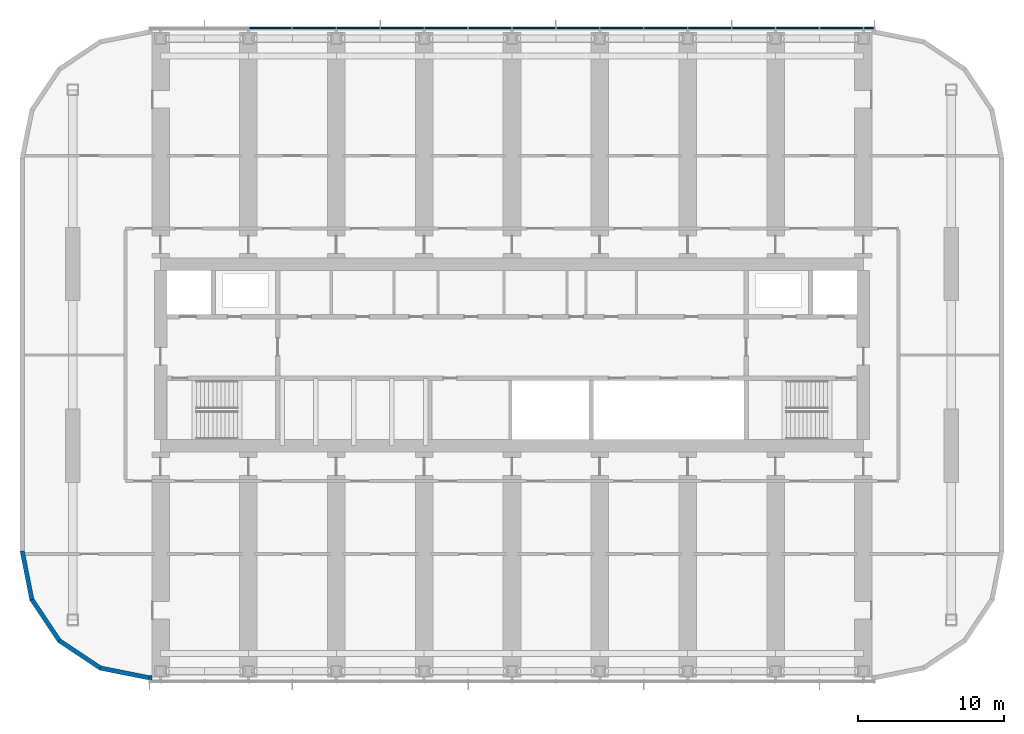
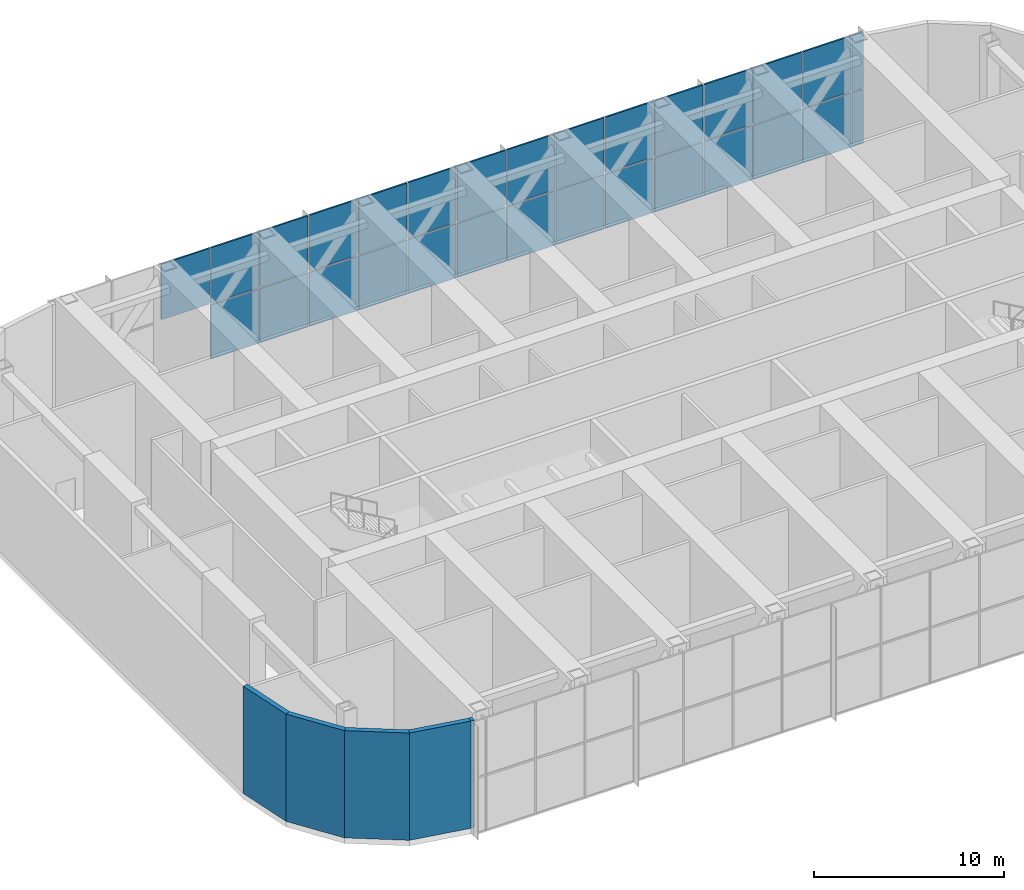
# One storey, part 7 of 22: 29 plates, 5 walls, 1 element without a shape of its own.
"""IFC4 building model written with IfcOpenShell, lengths in metres."""

from ifc_helpers import new_model, si_unit, direction, frame, frame_2d, origin, origin_2d, place, context, subcontext, project, spatial, polyline, rectangle, outline, extrude, material, layer, layer_set, type_object, element, aggregate, save


model = new_model("IFC4")

# Units and contexts
model_context = context("Model", 3, precision=1e-05, world=origin(), true_north=direction((0.0, 1.0)))
body_context = subcontext(model_context, "Body", "Model", "MODEL_VIEW")
ifc_project = project(units=[si_unit("LENGTHUNIT", "METRE"), si_unit("AREAUNIT", "SQUARE_METRE"), si_unit("VOLUMEUNIT", "CUBIC_METRE"), si_unit("PLANEANGLEUNIT", "RADIAN"), si_unit("MASSUNIT", "GRAM", prefix="KILO")], contexts=[model_context])

# Site, building, storey
site_placement = place(None, origin())
site = spatial("IfcSite", under=ifc_project, at=site_placement, CompositionType="ELEMENT")
building_placement = place(site_placement, origin())
building = spatial("IfcBuilding", under=site, at=building_placement, Name="Orbita Commons", CompositionType="ELEMENT")
storey_placement = place(building_placement, frame((0.0, 0.0, 201.10009765625)))
storey = spatial("IfcBuildingStorey", under=building, at=storey_placement, Name="L50", CompositionType="ELEMENT", Elevation=201.10009765625)

# Curtain wall, plates
ifc_material_1 = material(Name="Anodised aluminium frame, pale silver", Category="aluminium")
curtain_wall_type = type_object("IfcCurtainWallType", Name="Louvred curtain wall CW-V", PredefinedType="NOTDEFINED", material=ifc_material_1)
curtain_wall_placement = place(storey_placement, origin())
curtain_wall = element("IfcCurtainWall", 1, at=curtain_wall_placement, inside=storey, type_object=curtain_wall_type, Name="Curtain wall north L50", PredefinedType="NOTDEFINED")
ifc_material_2 = material(Name="Anodised aluminium louvre", Category="aluminium")
ifc_layer_1 = layer(ifc_material_2, 0.10009765625)
ifc_layer_set_1 = layer_set([ifc_layer_1], Name="Anodised aluminium louvre")
plate_type = type_object("IfcPlateType", Name="Aluminium louvre panel 100", PredefinedType="CURTAIN_PANEL", material=ifc_layer_set_1)
plate_1_placement = place(storey_placement, frame((66.3798828125, 54.31005859375, -0.250244140625), z_axis=(0.0, 0.0, 1.0), x_axis=(-1.0, 0.0, 0.0)))
plate_1 = element("IfcPlate", 2, at=plate_1_placement, type_object=plate_type, Name="Panel 1.1 CW-L50-N", PredefinedType="CURTAIN_PANEL", context=body_context, shape_type="SweptSolid", body=[
    extrude(rectangle(XDim=0.679931640625, YDim=0.10009765625, at=origin_2d()), origin(), (0.0, 0.0, 1.0), 3.47509765625),
])
plate_2_placement = place(storey_placement, frame((66.3798828125, 54.31005859375, 3.32470703125), z_axis=(0.0, 0.0, 1.0), x_axis=(-1.0, 0.0, 0.0)))
plate_2 = element("IfcPlate", 3, at=plate_2_placement, type_object=plate_type, Name="Panel 1.2 CW-L50-N", PredefinedType="CURTAIN_PANEL", context=body_context, shape_type="SweptSolid", body=[
    extrude(rectangle(XDim=0.679931640625, YDim=0.10009765625, at=origin_2d()), origin(), (0.0, 0.0, 1.0), 3.574951171875),
])
plate_3_placement = place(storey_placement, frame((64.5, 54.31005859375, -0.250244140625), z_axis=(0.0, 0.0, 1.0), x_axis=(-1.0, 0.0, 0.0)))
plate_3 = element("IfcPlate", 4, at=plate_3_placement, type_object=plate_type, Name="Panel 2.1 CW-L50-N", PredefinedType="CURTAIN_PANEL", context=body_context, shape_type="SweptSolid", body=[
    extrude(rectangle(XDim=2.919921875, YDim=0.10009765625, at=origin_2d()), origin(), (0.0, 0.0, 1.0), 3.47509765625),
])
plate_4_placement = place(storey_placement, frame((64.5, 54.31005859375, 3.32470703125), z_axis=(0.0, 0.0, 1.0), x_axis=(-1.0, 0.0, 0.0)))
plate_4 = element("IfcPlate", 5, at=plate_4_placement, type_object=plate_type, Name="Panel 2.2 CW-L50-N", PredefinedType="CURTAIN_PANEL", context=body_context, shape_type="SweptSolid", body=[
    extrude(rectangle(XDim=2.919921875, YDim=0.10009765625, at=origin_2d()), origin(), (0.0, 0.0, 1.0), 3.574951171875),
])
plate_5_placement = place(storey_placement, frame((61.5, 54.31005859375, -0.250244140625), z_axis=(0.0, 0.0, 1.0), x_axis=(-1.0, 0.0, 0.0)))
plate_5 = element("IfcPlate", 6, at=plate_5_placement, type_object=plate_type, Name="Panel 3.1 CW-L50-N", PredefinedType="CURTAIN_PANEL", context=body_context, shape_type="SweptSolid", body=[
    extrude(rectangle(XDim=2.919921875, YDim=0.10009765625, at=origin_2d()), origin(), (0.0, 0.0, 1.0), 3.47509765625),
])
plate_6_placement = place(storey_placement, frame((61.5, 54.31005859375, 3.32470703125), z_axis=(0.0, 0.0, 1.0), x_axis=(-1.0, 0.0, 0.0)))
plate_6 = element("IfcPlate", 7, at=plate_6_placement, type_object=plate_type, Name="Panel 3.2 CW-L50-N", PredefinedType="CURTAIN_PANEL", context=body_context, shape_type="SweptSolid", body=[
    extrude(rectangle(XDim=2.919921875, YDim=0.10009765625, at=origin_2d()), origin(), (0.0, 0.0, 1.0), 3.574951171875),
])
plate_7_placement = place(storey_placement, frame((58.5, 54.31005859375, -0.250244140625), z_axis=(0.0, 0.0, 1.0), x_axis=(-1.0, 0.0, 0.0)))
plate_7 = element("IfcPlate", 8, at=plate_7_placement, type_object=plate_type, Name="Panel 4.1 CW-L50-N", PredefinedType="CURTAIN_PANEL", context=body_context, shape_type="SweptSolid", body=[
    extrude(rectangle(XDim=2.919921875, YDim=0.10009765625, at=origin_2d()), origin(), (0.0, 0.0, 1.0), 3.47509765625),
])
plate_8_placement = place(storey_placement, frame((58.5, 54.31005859375, 3.32470703125), z_axis=(0.0, 0.0, 1.0), x_axis=(-1.0, 0.0, 0.0)))
plate_8 = element("IfcPlate", 9, at=plate_8_placement, type_object=plate_type, Name="Panel 4.2 CW-L50-N", PredefinedType="CURTAIN_PANEL", context=body_context, shape_type="SweptSolid", body=[
    extrude(rectangle(XDim=2.919921875, YDim=0.10009765625, at=origin_2d()), origin(), (0.0, 0.0, 1.0), 3.574951171875),
])
plate_9_placement = place(storey_placement, frame((55.5, 54.31005859375, -0.250244140625), z_axis=(0.0, 0.0, 1.0), x_axis=(-1.0, 0.0, 0.0)))
plate_9 = element("IfcPlate", 10, at=plate_9_placement, type_object=plate_type, Name="Panel 5.1 CW-L50-N", PredefinedType="CURTAIN_PANEL", context=body_context, shape_type="SweptSolid", body=[
    extrude(rectangle(XDim=2.919921875, YDim=0.10009765625, at=origin_2d()), origin(), (0.0, 0.0, 1.0), 3.47509765625),
])
plate_10_placement = place(storey_placement, frame((55.5, 54.31005859375, 3.32470703125), z_axis=(0.0, 0.0, 1.0), x_axis=(-1.0, 0.0, 0.0)))
plate_10 = element("IfcPlate", 11, at=plate_10_placement, type_object=plate_type, Name="Panel 5.2 CW-L50-N", PredefinedType="CURTAIN_PANEL", context=body_context, shape_type="SweptSolid", body=[
    extrude(rectangle(XDim=2.919921875, YDim=0.10009765625, at=origin_2d()), origin(), (0.0, 0.0, 1.0), 3.574951171875),
])
plate_11_placement = place(storey_placement, frame((52.5, 54.31005859375, -0.250244140625), z_axis=(0.0, 0.0, 1.0), x_axis=(-1.0, 0.0, 0.0)))
plate_11 = element("IfcPlate", 12, at=plate_11_placement, type_object=plate_type, Name="Panel 6.1 CW-L50-N", PredefinedType="CURTAIN_PANEL", context=body_context, shape_type="SweptSolid", body=[
    extrude(rectangle(XDim=2.919921875, YDim=0.10009765625, at=origin_2d()), origin(), (0.0, 0.0, 1.0), 3.47509765625),
])
plate_12_placement = place(storey_placement, frame((52.5, 54.31005859375, 3.32470703125), z_axis=(0.0, 0.0, 1.0), x_axis=(-1.0, 0.0, 0.0)))
plate_12 = element("IfcPlate", 13, at=plate_12_placement, type_object=plate_type, Name="Panel 6.2 CW-L50-N", PredefinedType="CURTAIN_PANEL", context=body_context, shape_type="SweptSolid", body=[
    extrude(rectangle(XDim=2.919921875, YDim=0.10009765625, at=origin_2d()), origin(), (0.0, 0.0, 1.0), 3.574951171875),
])
plate_13_placement = place(storey_placement, frame((49.5, 54.31005859375, -0.250244140625), z_axis=(0.0, 0.0, 1.0), x_axis=(-1.0, 0.0, 0.0)))
plate_13 = element("IfcPlate", 14, at=plate_13_placement, type_object=plate_type, Name="Panel 7.1 CW-L50-N", PredefinedType="CURTAIN_PANEL", context=body_context, shape_type="SweptSolid", body=[
    extrude(rectangle(XDim=2.919921875, YDim=0.10009765625, at=origin_2d()), origin(), (0.0, 0.0, 1.0), 3.47509765625),
])
plate_14_placement = place(storey_placement, frame((49.5, 54.31005859375, 3.32470703125), z_axis=(0.0, 0.0, 1.0), x_axis=(-1.0, 0.0, 0.0)))
plate_14 = element("IfcPlate", 15, at=plate_14_placement, type_object=plate_type, Name="Panel 7.2 CW-L50-N", PredefinedType="CURTAIN_PANEL", context=body_context, shape_type="SweptSolid", body=[
    extrude(rectangle(XDim=2.919921875, YDim=0.10009765625, at=origin_2d()), origin(), (0.0, 0.0, 1.0), 3.574951171875),
])
plate_15_placement = place(storey_placement, frame((46.5, 54.31005859375, -0.250244140625), z_axis=(0.0, 0.0, 1.0), x_axis=(-1.0, 0.0, 0.0)))
plate_15 = element("IfcPlate", 16, at=plate_15_placement, type_object=plate_type, Name="Panel 8.1 CW-L50-N", PredefinedType="CURTAIN_PANEL", context=body_context, shape_type="SweptSolid", body=[
    extrude(rectangle(XDim=2.919921875, YDim=0.10009765625, at=origin_2d()), origin(), (0.0, 0.0, 1.0), 3.47509765625),
])
plate_16_placement = place(storey_placement, frame((46.5, 54.31005859375, 3.32470703125), z_axis=(0.0, 0.0, 1.0), x_axis=(-1.0, 0.0, 0.0)))
plate_16 = element("IfcPlate", 17, at=plate_16_placement, type_object=plate_type, Name="Panel 8.2 CW-L50-N", PredefinedType="CURTAIN_PANEL", context=body_context, shape_type="SweptSolid", body=[
    extrude(rectangle(XDim=2.919921875, YDim=0.10009765625, at=origin_2d()), origin(), (0.0, 0.0, 1.0), 3.574951171875),
])
plate_17_placement = place(storey_placement, frame((43.5, 54.31005859375, -0.250244140625), z_axis=(0.0, 0.0, 1.0), x_axis=(-1.0, 0.0, 0.0)))
plate_17 = element("IfcPlate", 18, at=plate_17_placement, type_object=plate_type, Name="Panel 9.1 CW-L50-N", PredefinedType="CURTAIN_PANEL", context=body_context, shape_type="SweptSolid", body=[
    extrude(rectangle(XDim=2.919921875, YDim=0.10009765625, at=origin_2d()), origin(), (0.0, 0.0, 1.0), 3.47509765625),
])
plate_18_placement = place(storey_placement, frame((43.5, 54.31005859375, 3.32470703125), z_axis=(0.0, 0.0, 1.0), x_axis=(-1.0, 0.0, 0.0)))
plate_18 = element("IfcPlate", 19, at=plate_18_placement, type_object=plate_type, Name="Panel 9.2 CW-L50-N", PredefinedType="CURTAIN_PANEL", context=body_context, shape_type="SweptSolid", body=[
    extrude(rectangle(XDim=2.919921875, YDim=0.10009765625, at=origin_2d()), origin(), (0.0, 0.0, 1.0), 3.574951171875),
])
plate_19_placement = place(storey_placement, frame((40.5, 54.31005859375, -0.250244140625), z_axis=(0.0, 0.0, 1.0), x_axis=(-1.0, 0.0, 0.0)))
plate_19 = element("IfcPlate", 20, at=plate_19_placement, type_object=plate_type, Name="Panel 10.1 CW-L50-N", PredefinedType="CURTAIN_PANEL", context=body_context, shape_type="SweptSolid", body=[
    extrude(rectangle(XDim=2.919921875, YDim=0.10009765625, at=origin_2d()), origin(), (0.0, 0.0, 1.0), 3.47509765625),
])
plate_20_placement = place(storey_placement, frame((40.5, 54.31005859375, 3.32470703125), z_axis=(0.0, 0.0, 1.0), x_axis=(-1.0, 0.0, 0.0)))
plate_20 = element("IfcPlate", 21, at=plate_20_placement, type_object=plate_type, Name="Panel 10.2 CW-L50-N", PredefinedType="CURTAIN_PANEL", context=body_context, shape_type="SweptSolid", body=[
    extrude(rectangle(XDim=2.919921875, YDim=0.10009765625, at=origin_2d()), origin(), (0.0, 0.0, 1.0), 3.574951171875),
])
plate_21_placement = place(storey_placement, frame((37.5, 54.31005859375, -0.250244140625), z_axis=(0.0, 0.0, 1.0), x_axis=(-1.0, 0.0, 0.0)))
plate_21 = element("IfcPlate", 22, at=plate_21_placement, type_object=plate_type, Name="Panel 11.1 CW-L50-N", PredefinedType="CURTAIN_PANEL", context=body_context, shape_type="SweptSolid", body=[
    extrude(rectangle(XDim=2.919921875, YDim=0.10009765625, at=origin_2d()), origin(), (0.0, 0.0, 1.0), 3.47509765625),
])
plate_22_placement = place(storey_placement, frame((37.5, 54.31005859375, 3.32470703125), z_axis=(0.0, 0.0, 1.0), x_axis=(-1.0, 0.0, 0.0)))
plate_22 = element("IfcPlate", 23, at=plate_22_placement, type_object=plate_type, Name="Panel 11.2 CW-L50-N", PredefinedType="CURTAIN_PANEL", context=body_context, shape_type="SweptSolid", body=[
    extrude(rectangle(XDim=2.919921875, YDim=0.10009765625, at=origin_2d()), origin(), (0.0, 0.0, 1.0), 3.574951171875),
])
plate_23_placement = place(storey_placement, frame((34.5, 54.31005859375, -0.250244140625), z_axis=(0.0, 0.0, 1.0), x_axis=(-1.0, 0.0, 0.0)))
plate_23 = element("IfcPlate", 24, at=plate_23_placement, type_object=plate_type, Name="Panel 12.1 CW-L50-N", PredefinedType="CURTAIN_PANEL", context=body_context, shape_type="SweptSolid", body=[
    extrude(rectangle(XDim=2.919921875, YDim=0.10009765625, at=origin_2d()), origin(), (0.0, 0.0, 1.0), 3.47509765625),
])
plate_24_placement = place(storey_placement, frame((34.5, 54.31005859375, 3.32470703125), z_axis=(0.0, 0.0, 1.0), x_axis=(-1.0, 0.0, 0.0)))
plate_24 = element("IfcPlate", 25, at=plate_24_placement, type_object=plate_type, Name="Panel 12.2 CW-L50-N", PredefinedType="CURTAIN_PANEL", context=body_context, shape_type="SweptSolid", body=[
    extrude(rectangle(XDim=2.919921875, YDim=0.10009765625, at=origin_2d()), origin(), (0.0, 0.0, 1.0), 3.574951171875),
])
plate_25_placement = place(storey_placement, frame((31.5, 54.31005859375, -0.250244140625), z_axis=(0.0, 0.0, 1.0), x_axis=(-1.0, 0.0, 0.0)))
plate_25 = element("IfcPlate", 26, at=plate_25_placement, type_object=plate_type, Name="Panel 13.1 CW-L50-N", PredefinedType="CURTAIN_PANEL", context=body_context, shape_type="SweptSolid", body=[
    extrude(rectangle(XDim=2.919921875, YDim=0.10009765625, at=origin_2d()), origin(), (0.0, 0.0, 1.0), 3.47509765625),
])
plate_26_placement = place(storey_placement, frame((31.5, 54.31005859375, 3.32470703125), z_axis=(0.0, 0.0, 1.0), x_axis=(-1.0, 0.0, 0.0)))
plate_26 = element("IfcPlate", 27, at=plate_26_placement, type_object=plate_type, Name="Panel 13.2 CW-L50-N", PredefinedType="CURTAIN_PANEL", context=body_context, shape_type="SweptSolid", body=[
    extrude(rectangle(XDim=2.919921875, YDim=0.10009765625, at=origin_2d()), origin(), (0.0, 0.0, 1.0), 3.574951171875),
])
plate_27_placement = place(storey_placement, frame((28.5, 54.31005859375, -0.250244140625), z_axis=(0.0, 0.0, 1.0), x_axis=(-1.0, 0.0, 0.0)))
plate_27 = element("IfcPlate", 28, at=plate_27_placement, type_object=plate_type, Name="Panel 14.1 CW-L50-N", PredefinedType="CURTAIN_PANEL", context=body_context, shape_type="SweptSolid", body=[
    extrude(rectangle(XDim=2.919921875, YDim=0.10009765625, at=origin_2d()), origin(), (0.0, 0.0, 1.0), 3.47509765625),
])
plate_28_placement = place(storey_placement, frame((28.5, 54.31005859375, 3.32470703125), z_axis=(0.0, 0.0, 1.0), x_axis=(-1.0, 0.0, 0.0)))
plate_28 = element("IfcPlate", 29, at=plate_28_placement, type_object=plate_type, Name="Panel 14.2 CW-L50-N", PredefinedType="CURTAIN_PANEL", context=body_context, shape_type="SweptSolid", body=[
    extrude(rectangle(XDim=2.919921875, YDim=0.10009765625, at=origin_2d()), origin(), (0.0, 0.0, 1.0), 3.574951171875),
])
plate_29_placement = place(storey_placement, frame((25.5, 54.31005859375, 3.32470703125), z_axis=(0.0, 0.0, 1.0), x_axis=(-1.0, 0.0, 0.0)))
plate_29 = element("IfcPlate", 30, at=plate_29_placement, type_object=plate_type, Name="Panel 15.2 CW-L50-N", PredefinedType="CURTAIN_PANEL", context=body_context, shape_type="SweptSolid", body=[
    extrude(rectangle(XDim=2.919921875, YDim=0.10009765625, at=origin_2d()), origin(), (0.0, 0.0, 1.0), 3.574951171875),
])
aggregate(curtain_wall, [plate_1, plate_2, plate_3, plate_4, plate_5, plate_6, plate_7, plate_8, plate_9, plate_10, plate_11, plate_12, plate_13, plate_14, plate_15, plate_16, plate_17, plate_18, plate_19, plate_20, plate_21, plate_22, plate_23, plate_24, plate_25, plate_26, plate_27, plate_28, plate_29])

# Walls
ifc_material_3 = material(Name="Precast concrete C40/50, white board-marked finish", Category="concrete")
ifc_layer_2 = layer(ifc_material_3, 0.300048828125)
ifc_layer_set_2 = layer_set([ifc_layer_2], Name="Precast concrete C40/50, white board-marked finish")
wall_type = type_object("IfcWallType", Name="Precast concrete end shield 300", PredefinedType="SOLIDWALL", material=ifc_layer_set_2)
wall_1_placement = place(storey_placement, frame((8.550048828125, 18.60009765625, 0.0), z_axis=(0.0, 0.0, 1.0), x_axis=(0.19508664885, -0.980786011034, 0.0)))
element("IfcWall", 31, at=wall_1_placement, inside=storey, type_object=wall_type, Name="End shield SW chord 1 L50", PredefinedType="SOLIDWALL", context=body_context, shape_type="SweptSolid", body=[
    extrude(outline(polyline([(-0.014892578125, -0.14990234375), (3.405029296875, -0.14990234375), (3.345458984375, 0.14990234375), (0.014892578125, 0.14990234375), (-0.014892578125, -0.14990234375)])), origin(), (0.0, 0.0, 1.0), 6.89990234375),
])
for number, where, z_axis, x_axis, name in (
    (32, (9.20849609375, 15.289794921875, 0.0), (0.0, 0.0, 1.0), (0.555534554399, -0.831493450887, 0.0), "End shield SW chord 2 L50"),
    (33, (11.08349609375, 12.4833984375, 0.0), (0.0, 0.0, 1.0), (0.831493450887, -0.555534554399, 0.0), "End shield SW chord 3 L50"),
):
    element("IfcWall", number, at=place(storey_placement, frame(where, z_axis=z_axis, x_axis=x_axis)), inside=storey, type_object=wall_type, Name=name, PredefinedType="SOLIDWALL", context=body_context, shape_type="SweptSolid", body=[
        extrude(outline(polyline([(-0.02978515625, -0.14990234375), (3.405029296875, -0.14990234375), (3.345458984375, 0.14990234375), (0.02978515625, 0.14990234375), (-0.02978515625, -0.14990234375)])), origin(), (0.0, 0.0, 1.0), 6.89990234375),
    ])
wall_2_placement = place(storey_placement, frame((13.889892578125, 10.6083984375, 0.0), z_axis=(0.0, 0.0, 1.0), x_axis=(0.98078325777, -0.195100490205, 0.0)))
element("IfcWall", 34, at=wall_2_placement, inside=storey, type_object=wall_type, Name="End shield SW chord 4 L50", PredefinedType="SOLIDWALL", context=body_context, shape_type="SweptSolid", body=[
    extrude(outline(polyline([(-0.02978515625, -0.14990234375), (3.40478515625, -0.14990234375), (3.34521484375, 0.14990234375), (0.02978515625, 0.14990234375), (-0.02978515625, -0.14990234375)])), origin(), (0.0, 0.0, 1.0), 6.89990234375),
])
wall_3_placement = place(storey_placement, frame((17.199951171875, 9.949951171875, 0.0), z_axis=(0.0, 0.0, 1.0), x_axis=(1.0, 0.0, 0.0)))
element("IfcWall", 35, at=wall_3_placement, inside=storey, type_object=wall_type, Name="End shield SW closer L50", PredefinedType="SOLIDWALL", context=body_context, shape_type="SweptSolid", body=[
    extrude(rectangle(XDim=0.199951171875, YDim=0.300048828125, at=frame_2d((0.10009765625, 0.0))), origin(), (0.0, 0.0, 1.0), 6.89990234375),
])

save(model, "model.ifc")
